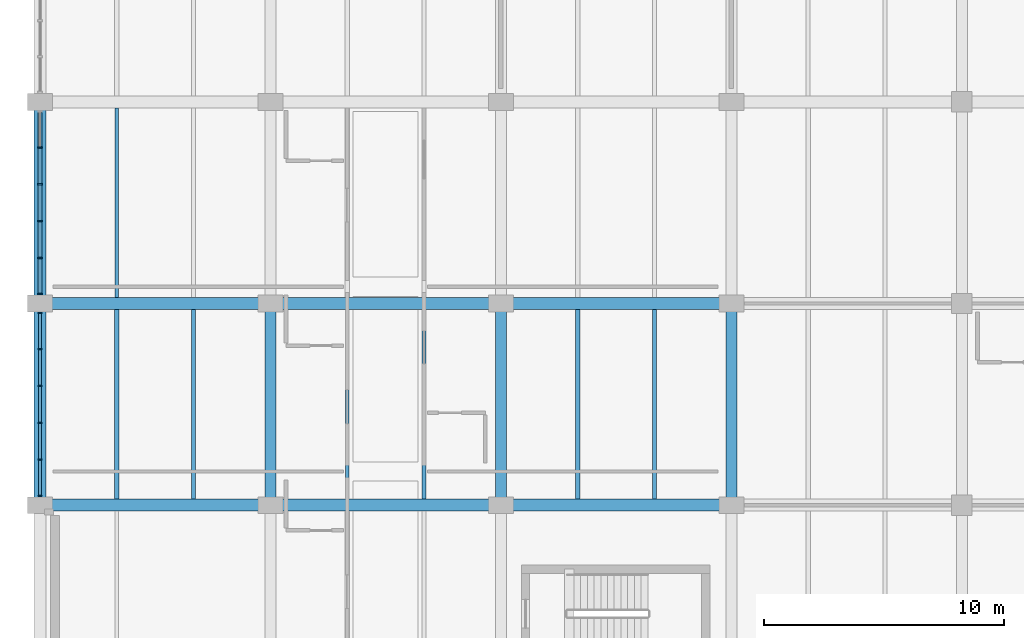
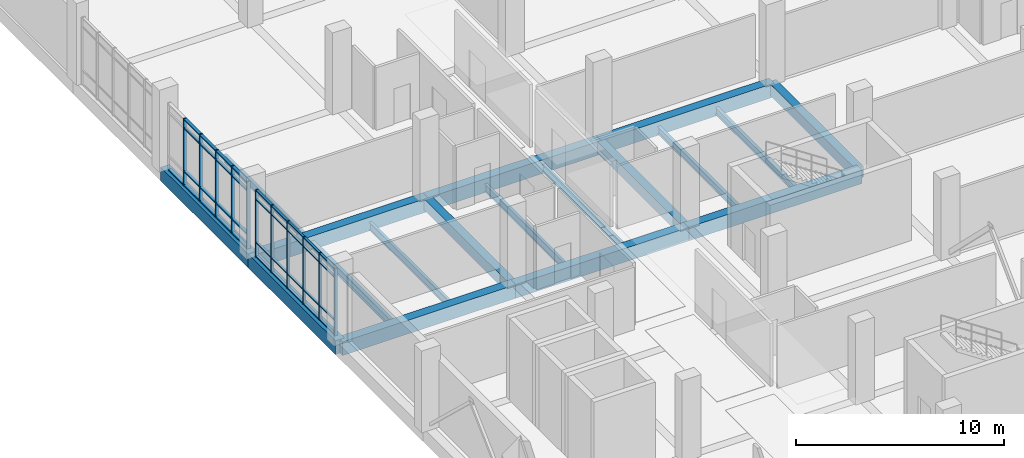
# One storey, part 25 of 152: 48 members, 18 beams, 2 elements without a shape of their own.
"""IFC4 building model written with IfcOpenShell, lengths in metres."""

from ifc_helpers import new_model, si_unit, direction, frame, origin, origin_2d, place, context, subcontext, project, spatial, rectangle, i_section, extrude, material, material_profile, profile_set, type_object, element, aggregate, save


model = new_model("IFC4")

# Units and contexts
model_context = context("Model", 3, precision=1e-05, world=origin(), true_north=direction((0.0, 1.0)))
body_context = subcontext(model_context, "Body", "Model", "MODEL_VIEW")
ifc_project = project(units=[si_unit("LENGTHUNIT", "METRE"), si_unit("AREAUNIT", "SQUARE_METRE"), si_unit("VOLUMEUNIT", "CUBIC_METRE"), si_unit("PLANEANGLEUNIT", "RADIAN"), si_unit("MASSUNIT", "GRAM", prefix="KILO")], contexts=[model_context])

# Site, building, storey
site_placement = place(None, origin())
site = spatial("IfcSite", under=ifc_project, at=site_placement, CompositionType="ELEMENT")
building_placement = place(site_placement, origin())
building = spatial("IfcBuilding", under=site, at=building_placement, Name="Oolite Switchyard Hospital", CompositionType="ELEMENT")
storey_placement = place(building_placement, frame((0.0, 0.0, 5.10009765625)))
storey = spatial("IfcBuildingStorey", under=building, at=storey_placement, Name="L01", CompositionType="ELEMENT", Elevation=5.10009765625)

# Beams
ifc_material_1 = material(Name="Concrete C40/50", Category="concrete")
ifc_material_profile_1 = material_profile(ifc_material_1, rectangle(XDim=0.449951171875, YDim=0.64990234375, at=origin_2d()), Name="RCB450X650")
ifc_profile_set_1 = profile_set([ifc_material_profile_1], Name="Concrete C40/50")
beam_type_1 = type_object("IfcBeamType", Name="BM-RC450X650", PredefinedType="BEAM", material=ifc_profile_set_1)
for number, where, z_axis, x_axis, name in (
    (1, (9.60009765625, 67.199951171875, -0.3251953125), (0.0, 1.0, 0.0), (-1.0, 0.0, 0.0), "L01 Y-Girder 310"),
    (2, (19.199951171875, 67.199951171875, -0.3251953125), (0.0, 1.0, 0.0), (-1.0, 0.0, 0.0), "L01 Y-Girder 326"),
    (3, (28.800048828125, 67.199951171875, -0.3251953125), (0.0, 1.0, 0.0), (-1.0, 0.0, 0.0), "L01 Y-Girder 342"),
):
    element("IfcBeam", number, at=place(storey_placement, frame(where, z_axis=z_axis, x_axis=x_axis)), inside=storey, type_object=beam_type_1, Name=name, PredefinedType="BEAM", context=body_context, shape_type="SweptSolid", body=[
        extrude(rectangle(XDim=0.449951171875, YDim=0.64990234375, at=origin_2d()), origin(), (0.0, 0.0, 1.0), 8.400146484375),
    ])
ifc_material_profile_2 = material_profile(ifc_material_1, rectangle(XDim=0.5, YDim=0.800048828125, at=origin_2d()), Name="RCB500X800")
ifc_profile_set_2 = profile_set([ifc_material_profile_2], Name="Concrete C40/50")
beam_type_2 = type_object("IfcBeamType", Name="BM-RC500X800", PredefinedType="BEAM", material=ifc_profile_set_2)
beam_1_placement = place(storey_placement, frame((0.0, 67.199951171875, -0.400146484375), z_axis=(1.0, 0.0, 0.0), x_axis=(0.0, 1.0, 0.0)))
element("IfcBeam", 4, at=beam_1_placement, inside=storey, type_object=beam_type_2, Name="L01 X-Girder 128", PredefinedType="BEAM", context=body_context, shape_type="SweptSolid", body=[
    extrude(rectangle(XDim=0.5, YDim=0.800048828125, at=origin_2d()), origin(), (0.0, 0.0, 1.0), 9.60009765625),
])
beam_2_placement = place(storey_placement, frame((9.60009765625, 67.199951171875, -0.400146484375), z_axis=(1.0, 0.0, 0.0), x_axis=(0.0, 1.0, 0.0)))
element("IfcBeam", 5, at=beam_2_placement, inside=storey, type_object=beam_type_2, Name="L01 X-Girder 129", PredefinedType="BEAM", context=body_context, shape_type="SweptSolid", body=[
    extrude(rectangle(XDim=0.5, YDim=0.800048828125, at=origin_2d()), origin(), (0.0, 0.0, 1.0), 9.599853515625),
])
for number, where, z_axis, x_axis, name in (
    (6, (19.199951171875, 67.199951171875, -0.400146484375), (1.0, 0.0, 0.0), (0.0, 1.0, 0.0), "L01 X-Girder 130"),
    (7, (0.0, 75.60009765625, -0.400146484375), (1.0, 0.0, 0.0), (0.0, 1.0, 0.0), "L01 X-Girder 144"),
):
    element("IfcBeam", number, at=place(storey_placement, frame(where, z_axis=z_axis, x_axis=x_axis)), inside=storey, type_object=beam_type_2, Name=name, PredefinedType="BEAM", context=body_context, shape_type="SweptSolid", body=[
        extrude(rectangle(XDim=0.5, YDim=0.800048828125, at=origin_2d()), origin(), (0.0, 0.0, 1.0), 9.60009765625),
    ])
beam_3_placement = place(storey_placement, frame((9.60009765625, 75.60009765625, -0.400146484375), z_axis=(1.0, 0.0, 0.0), x_axis=(0.0, 1.0, 0.0)))
element("IfcBeam", 8, at=beam_3_placement, inside=storey, type_object=beam_type_2, Name="L01 X-Girder 145", PredefinedType="BEAM", context=body_context, shape_type="SweptSolid", body=[
    extrude(rectangle(XDim=0.5, YDim=0.800048828125, at=origin_2d()), origin(), (0.0, 0.0, 1.0), 9.599853515625),
])
beam_4_placement = place(storey_placement, frame((19.199951171875, 75.60009765625, -0.400146484375), z_axis=(1.0, 0.0, 0.0), x_axis=(0.0, 1.0, 0.0)))
element("IfcBeam", 9, at=beam_4_placement, inside=storey, type_object=beam_type_2, Name="L01 X-Girder 146", PredefinedType="BEAM", context=body_context, shape_type="SweptSolid", body=[
    extrude(rectangle(XDim=0.5, YDim=0.800048828125, at=origin_2d()), origin(), (0.0, 0.0, 1.0), 9.60009765625),
])
beam_5_placement = place(storey_placement, frame((0.0, 67.199951171875, -0.400146484375), z_axis=(0.0, 1.0, 0.0), x_axis=(-1.0, 0.0, 0.0)))
element("IfcBeam", 10, at=beam_5_placement, inside=storey, type_object=beam_type_2, Name="L01 Y-Girder 295", PredefinedType="BEAM", context=body_context, shape_type="SweptSolid", body=[
    extrude(rectangle(XDim=0.5, YDim=0.800048828125, at=origin_2d()), origin(), (0.0, 0.0, 1.0), 8.400146484375),
])
beam_6_placement = place(storey_placement, frame((0.0, 75.60009765625, -0.400146484375), z_axis=(0.0, 1.0, 0.0), x_axis=(-1.0, 0.0, 0.0)))
element("IfcBeam", 11, at=beam_6_placement, inside=storey, type_object=beam_type_2, Name="L01 Y-Girder 296", PredefinedType="BEAM", context=body_context, shape_type="SweptSolid", body=[
    extrude(rectangle(XDim=0.5, YDim=0.800048828125, at=origin_2d()), origin(), (0.0, 0.0, 1.0), 8.39990234375),
])
ifc_material_2 = material(Name="Steel ASTM A992 Grade 50", Category="steel")
ifc_material_profile_3 = material_profile(ifc_material_2, i_section(OverallWidth=0.177978515625, OverallDepth=0.403076171875, WebThickness=0.008056640625, FlangeThickness=0.010986328125, at=origin_2d()), Name="W16X36")
ifc_profile_set_3 = profile_set([ifc_material_profile_3], Name="Steel ASTM A992 Grade 50")
beam_type_3 = type_object("IfcBeamType", Name="BM-W16X36", PredefinedType="JOIST", material=ifc_profile_set_3)
beam_7_placement = place(storey_placement, frame((25.60009765625, 67.449951171875, -0.47705078125), z_axis=(0.0, 1.0, 0.0), x_axis=(-1.0, 0.0, 0.0)))
element("IfcBeam", 12, at=beam_7_placement, inside=storey, type_object=beam_type_3, Name="L01 Secondary Steel Joist 635", PredefinedType="JOIST", context=body_context, shape_type="SweptSolid", body=[
    extrude(i_section(OverallWidth=0.177978515625, OverallDepth=0.403076171875, WebThickness=0.008056640625, FlangeThickness=0.010986328125, at=origin_2d()), origin(), (0.0, 0.0, 1.0), 7.900146484375),
])
ifc_material_profile_4 = material_profile(ifc_material_2, i_section(OverallWidth=0.179931640625, OverallDepth=0.4130859375, WebThickness=0.010009765625, FlangeThickness=0.01611328125, at=origin_2d()), Name="W16X50")
ifc_profile_set_4 = profile_set([ifc_material_profile_4], Name="Steel ASTM A992 Grade 50")
beam_type_4 = type_object("IfcBeamType", Name="BM-W16X50", PredefinedType="JOIST", material=ifc_profile_set_4)
for number, where, z_axis, x_axis, name in (
    (13, (16.0, 67.449951171875, -0.482177734375), (0.0, 1.0, 0.0), (-1.0, 0.0, 0.0), "L01 Secondary Steel Joist 607"),
    (14, (22.39990234375, 67.449951171875, -0.482177734375), (0.0, 1.0, 0.0), (-1.0, 0.0, 0.0), "L01 Secondary Steel Joist 634"),
):
    element("IfcBeam", number, at=place(storey_placement, frame(where, z_axis=z_axis, x_axis=x_axis)), inside=storey, type_object=beam_type_4, Name=name, PredefinedType="JOIST", context=body_context, shape_type="SweptSolid", body=[
        extrude(i_section(OverallWidth=0.179931640625, OverallDepth=0.4130859375, WebThickness=0.010009765625, FlangeThickness=0.01611328125, at=origin_2d()), origin(), (0.0, 0.0, 1.0), 7.900146484375),
    ])
ifc_material_profile_5 = material_profile(ifc_material_2, i_section(OverallWidth=0.153076171875, OverallDepth=0.455078125, WebThickness=0.008056640625, FlangeThickness=0.012939453125, at=origin_2d()), Name="W18X40")
ifc_profile_set_5 = profile_set([ifc_material_profile_5], Name="Steel ASTM A992 Grade 50")
beam_type_5 = type_object("IfcBeamType", Name="BM-W18X40", PredefinedType="JOIST", material=ifc_profile_set_5)
beam_8_placement = place(storey_placement, frame((6.39990234375, 67.449951171875, -0.503173828125), z_axis=(0.0, 1.0, 0.0), x_axis=(-1.0, 0.0, 0.0)))
element("IfcBeam", 15, at=beam_8_placement, inside=storey, type_object=beam_type_5, Name="L01 Secondary Steel Joist 577", PredefinedType="JOIST", context=body_context, shape_type="SweptSolid", body=[
    extrude(i_section(OverallWidth=0.153076171875, OverallDepth=0.455078125, WebThickness=0.008056640625, FlangeThickness=0.012939453125, at=origin_2d()), origin(), (0.0, 0.0, 1.0), 7.900146484375),
])
beam_9_placement = place(storey_placement, frame((3.199951171875, 75.85009765625, -0.503173828125), z_axis=(0.0, 1.0, 0.0), x_axis=(-1.0, 0.0, 0.0)))
element("IfcBeam", 16, at=beam_9_placement, inside=storey, type_object=beam_type_5, Name="L01 Secondary Steel Joist 578", PredefinedType="JOIST", context=body_context, shape_type="SweptSolid", body=[
    extrude(i_section(OverallWidth=0.153076171875, OverallDepth=0.455078125, WebThickness=0.008056640625, FlangeThickness=0.012939453125, at=origin_2d()), origin(), (0.0, 0.0, 1.0), 7.89990234375),
])
beam_10_placement = place(storey_placement, frame((12.800048828125, 67.449951171875, -0.503173828125), z_axis=(0.0, 1.0, 0.0), x_axis=(-1.0, 0.0, 0.0)))
element("IfcBeam", 17, at=beam_10_placement, inside=storey, type_object=beam_type_5, Name="L01 Secondary Steel Joist 606", PredefinedType="JOIST", context=body_context, shape_type="SweptSolid", body=[
    extrude(i_section(OverallWidth=0.153076171875, OverallDepth=0.455078125, WebThickness=0.008056640625, FlangeThickness=0.012939453125, at=origin_2d()), origin(), (0.0, 0.0, 1.0), 7.900146484375),
])
ifc_material_profile_6 = material_profile(ifc_material_2, i_section(OverallWidth=0.19091796875, OverallDepth=0.4599609375, WebThickness=0.010009765625, FlangeThickness=0.01611328125, at=origin_2d()), Name="W18X55")
ifc_profile_set_6 = profile_set([ifc_material_profile_6], Name="Steel ASTM A992 Grade 50")
beam_type_6 = type_object("IfcBeamType", Name="BM-W18X55", PredefinedType="JOIST", material=ifc_profile_set_6)
beam_11_placement = place(storey_placement, frame((3.199951171875, 67.449951171875, -0.505126953125), z_axis=(0.0, 1.0, 0.0), x_axis=(-1.0, 0.0, 0.0)))
element("IfcBeam", 18, at=beam_11_placement, inside=storey, type_object=beam_type_6, Name="L01 Secondary Steel Joist 576", PredefinedType="JOIST", context=body_context, shape_type="SweptSolid", body=[
    extrude(i_section(OverallWidth=0.19091796875, OverallDepth=0.4599609375, WebThickness=0.010009765625, FlangeThickness=0.01611328125, at=origin_2d()), origin(), (0.0, 0.0, 1.0), 7.900146484375),
])

# Curtain wall, members
ifc_material_3 = material(Name="Thermally broken aluminum frame with laminated impact glazing", Category="aluminium")
curtain_wall_type = type_object("IfcCurtainWallType", Name="CW-UNIT-84X48", PredefinedType="USERDEFINED", material=ifc_material_3)
curtain_wall_1_placement = place(storey_placement, origin())
curtain_wall_1 = element("IfcCurtainWall", 19, at=curtain_wall_1_placement, inside=storey, type_object=curtain_wall_type, Name="L01 Unitised Curtain Wall 164", ObjectType="UNITISED", PredefinedType="USERDEFINED")
ifc_material_4 = material(Name="Aluminium 6063-T6", Category="aluminium")
ifc_material_profile_7 = material_profile(ifc_material_4, rectangle(XDim=0.159912109375, YDim=0.06005859375, at=origin_2d()), Name="CWM60X160")
ifc_profile_set_7 = profile_set([ifc_material_profile_7], Name="Aluminium 6063-T6")
member_type_1 = type_object("IfcMemberType", Name="CW-MUL-180", PredefinedType="MULLION", material=ifc_profile_set_7)
member_1_placement = place(storey_placement, frame((0.0, 67.594970703125, 0.0), z_axis=(0.0, 0.0, 1.0), x_axis=(-1.0, 0.0, 0.0)))
member_1 = element("IfcMember", 20, at=member_1_placement, type_object=member_type_1, Name="CW-07 mullion 1", PredefinedType="MULLION", context=body_context, shape_type="SweptSolid", body=[
    extrude(rectangle(XDim=0.159912109375, YDim=0.06005859375, at=origin_2d()), origin(), (0.0, 0.0, 1.0), 3.93994140625),
])
member_2_placement = place(storey_placement, frame((0.0, 69.09912109375, 0.0), z_axis=(0.0, 0.0, 1.0), x_axis=(-1.0, 0.0, 0.0)))
member_2 = element("IfcMember", 21, at=member_2_placement, type_object=member_type_1, Name="CW-07 mullion 2", PredefinedType="MULLION", context=body_context, shape_type="SweptSolid", body=[
    extrude(rectangle(XDim=0.159912109375, YDim=0.06005859375, at=origin_2d()), origin(), (0.0, 0.0, 1.0), 3.93994140625),
])
member_3_placement = place(storey_placement, frame((0.0, 70.633056640625, 0.0), z_axis=(0.0, 0.0, 1.0), x_axis=(-1.0, 0.0, 0.0)))
member_3 = element("IfcMember", 22, at=member_3_placement, type_object=member_type_1, Name="CW-07 mullion 3", PredefinedType="MULLION", context=body_context, shape_type="SweptSolid", body=[
    extrude(rectangle(XDim=0.159912109375, YDim=0.06005859375, at=origin_2d()), origin(), (0.0, 0.0, 1.0), 3.93994140625),
])
member_4_placement = place(storey_placement, frame((0.0, 72.1669921875, 0.0), z_axis=(0.0, 0.0, 1.0), x_axis=(-1.0, 0.0, 0.0)))
member_4 = element("IfcMember", 23, at=member_4_placement, type_object=member_type_1, Name="CW-07 mullion 4", PredefinedType="MULLION", context=body_context, shape_type="SweptSolid", body=[
    extrude(rectangle(XDim=0.159912109375, YDim=0.06005859375, at=origin_2d()), origin(), (0.0, 0.0, 1.0), 3.93994140625),
])
member_5_placement = place(storey_placement, frame((0.0, 73.700927734375, 0.0), z_axis=(0.0, 0.0, 1.0), x_axis=(-1.0, 0.0, 0.0)))
member_5 = element("IfcMember", 24, at=member_5_placement, type_object=member_type_1, Name="CW-07 mullion 5", PredefinedType="MULLION", context=body_context, shape_type="SweptSolid", body=[
    extrude(rectangle(XDim=0.159912109375, YDim=0.06005859375, at=origin_2d()), origin(), (0.0, 0.0, 1.0), 3.93994140625),
])
member_6_placement = place(storey_placement, frame((0.0, 75.205078125, 0.0), z_axis=(0.0, 0.0, 1.0), x_axis=(-1.0, 0.0, 0.0)))
member_6 = element("IfcMember", 25, at=member_6_placement, type_object=member_type_1, Name="CW-07 mullion 6", PredefinedType="MULLION", context=body_context, shape_type="SweptSolid", body=[
    extrude(rectangle(XDim=0.159912109375, YDim=0.06005859375, at=origin_2d()), origin(), (0.0, 0.0, 1.0), 3.93994140625),
])

curtain_wall_2_placement = place(storey_placement, origin())
curtain_wall_2 = element("IfcCurtainWall", 26, at=curtain_wall_2_placement, inside=storey, type_object=curtain_wall_type, Name="L01 Unitised Curtain Wall 165", ObjectType="UNITISED", PredefinedType="USERDEFINED")
ifc_material_profile_8 = material_profile(ifc_material_4, rectangle(XDim=0.179931640625, YDim=0.070068359375, at=origin_2d()), Name="CWM70X180")
ifc_profile_set_8 = profile_set([ifc_material_profile_8], Name="Aluminium 6063-T6")
member_type_2 = type_object("IfcMemberType", Name="CW-MUL-220", PredefinedType="MULLION", material=ifc_profile_set_8)
member_7_placement = place(storey_placement, frame((0.0, 76.0, 0.0), z_axis=(0.0, 0.0, 1.0), x_axis=(-1.0, 0.0, 0.0)))
member_7 = element("IfcMember", 27, at=member_7_placement, type_object=member_type_2, Name="CW-07 mullion 1", PredefinedType="MULLION", context=body_context, shape_type="SweptSolid", body=[
    extrude(rectangle(XDim=0.179931640625, YDim=0.070068359375, at=origin_2d()), origin(), (0.0, 0.0, 1.0), 3.93994140625),
])
member_8_placement = place(storey_placement, frame((0.0, 77.4990234375, 0.0), z_axis=(0.0, 0.0, 1.0), x_axis=(-1.0, 0.0, 0.0)))
member_8 = element("IfcMember", 28, at=member_8_placement, type_object=member_type_2, Name="CW-07 mullion 2", PredefinedType="MULLION", context=body_context, shape_type="SweptSolid", body=[
    extrude(rectangle(XDim=0.179931640625, YDim=0.070068359375, at=origin_2d()), origin(), (0.0, 0.0, 1.0), 3.93994140625),
])
member_9_placement = place(storey_placement, frame((0.0, 79.032958984375, 0.0), z_axis=(0.0, 0.0, 1.0), x_axis=(-1.0, 0.0, 0.0)))
member_9 = element("IfcMember", 29, at=member_9_placement, type_object=member_type_2, Name="CW-07 mullion 3", PredefinedType="MULLION", context=body_context, shape_type="SweptSolid", body=[
    extrude(rectangle(XDim=0.179931640625, YDim=0.070068359375, at=origin_2d()), origin(), (0.0, 0.0, 1.0), 3.93994140625),
])
member_10_placement = place(storey_placement, frame((0.0, 80.56689453125, 0.0), z_axis=(0.0, 0.0, 1.0), x_axis=(-1.0, 0.0, 0.0)))
member_10 = element("IfcMember", 30, at=member_10_placement, type_object=member_type_2, Name="CW-07 mullion 4", PredefinedType="MULLION", context=body_context, shape_type="SweptSolid", body=[
    extrude(rectangle(XDim=0.179931640625, YDim=0.070068359375, at=origin_2d()), origin(), (0.0, 0.0, 1.0), 3.93994140625),
])
member_11_placement = place(storey_placement, frame((0.0, 82.10107421875, 0.0), z_axis=(0.0, 0.0, 1.0), x_axis=(-1.0, 0.0, 0.0)))
member_11 = element("IfcMember", 31, at=member_11_placement, type_object=member_type_2, Name="CW-07 mullion 5", PredefinedType="MULLION", context=body_context, shape_type="SweptSolid", body=[
    extrude(rectangle(XDim=0.179931640625, YDim=0.070068359375, at=origin_2d()), origin(), (0.0, 0.0, 1.0), 3.93994140625),
])

# Member
ifc_material_profile_9 = material_profile(ifc_material_4, rectangle(XDim=0.1201171875, YDim=0.06005859375, at=origin_2d()), Name="CWT60X120")
ifc_profile_set_9 = profile_set([ifc_material_profile_9], Name="Aluminium 6063-T6")
member_type_3 = type_object("IfcMemberType", Name="CW-TRN-150", PredefinedType="USERDEFINED", material=ifc_profile_set_9)
member_12_placement = place(storey_placement, frame((0.0, 67.625, 0.02978515625), z_axis=(0.0, 1.0, 0.0), x_axis=(-1.0, 0.0, 0.0)))
member_12 = element("IfcMember", 32, at=member_12_placement, type_object=member_type_3, Name="CW-07 transom 1.1", ObjectType="TRANSOM", PredefinedType="USERDEFINED", context=body_context, shape_type="SweptSolid", body=[
    extrude(rectangle(XDim=0.1201171875, YDim=0.06005859375, at=origin_2d()), origin(), (0.0, 0.0, 1.0), 1.444091796875),
])

member_13_placement = place(storey_placement, frame((0.0, 67.625, 0.849853515625), z_axis=(0.0, 1.0, 0.0), x_axis=(-1.0, 0.0, 0.0)))
member_13 = element("IfcMember", 33, at=member_13_placement, type_object=member_type_3, Name="CW-07 transom 1.2", ObjectType="TRANSOM", PredefinedType="USERDEFINED", context=body_context, shape_type="SweptSolid", body=[
    extrude(rectangle(XDim=0.1201171875, YDim=0.06005859375, at=origin_2d()), origin(), (0.0, 0.0, 1.0), 1.444091796875),
])

member_14_placement = place(storey_placement, frame((0.0, 67.625, 3.389892578125), z_axis=(0.0, 1.0, 0.0), x_axis=(-1.0, 0.0, 0.0)))
member_14 = element("IfcMember", 34, at=member_14_placement, type_object=member_type_3, Name="CW-07 transom 1.3", ObjectType="TRANSOM", PredefinedType="USERDEFINED", context=body_context, shape_type="SweptSolid", body=[
    extrude(rectangle(XDim=0.1201171875, YDim=0.06005859375, at=origin_2d()), origin(), (0.0, 0.0, 1.0), 1.444091796875),
])

member_15_placement = place(storey_placement, frame((0.0, 67.625, 3.909912109375), z_axis=(0.0, 1.0, 0.0), x_axis=(-1.0, 0.0, 0.0)))
member_15 = element("IfcMember", 35, at=member_15_placement, type_object=member_type_3, Name="CW-07 transom 1.4", ObjectType="TRANSOM", PredefinedType="USERDEFINED", context=body_context, shape_type="SweptSolid", body=[
    extrude(rectangle(XDim=0.1201171875, YDim=0.06005859375, at=origin_2d()), origin(), (0.0, 0.0, 1.0), 1.444091796875),
])

member_16_placement = place(storey_placement, frame((0.0, 69.12890625, 0.02978515625), z_axis=(0.0, 1.0, 0.0), x_axis=(-1.0, 0.0, 0.0)))
member_16 = element("IfcMember", 36, at=member_16_placement, type_object=member_type_3, Name="CW-07 transom 2.1", ObjectType="TRANSOM", PredefinedType="USERDEFINED", context=body_context, shape_type="SweptSolid", body=[
    extrude(rectangle(XDim=0.1201171875, YDim=0.06005859375, at=origin_2d()), origin(), (0.0, 0.0, 1.0), 1.47412109375),
])

member_17_placement = place(storey_placement, frame((0.0, 69.12890625, 0.849853515625), z_axis=(0.0, 1.0, 0.0), x_axis=(-1.0, 0.0, 0.0)))
member_17 = element("IfcMember", 37, at=member_17_placement, type_object=member_type_3, Name="CW-07 transom 2.2", ObjectType="TRANSOM", PredefinedType="USERDEFINED", context=body_context, shape_type="SweptSolid", body=[
    extrude(rectangle(XDim=0.1201171875, YDim=0.06005859375, at=origin_2d()), origin(), (0.0, 0.0, 1.0), 1.47412109375),
])

member_18_placement = place(storey_placement, frame((0.0, 69.12890625, 3.389892578125), z_axis=(0.0, 1.0, 0.0), x_axis=(-1.0, 0.0, 0.0)))
member_18 = element("IfcMember", 38, at=member_18_placement, type_object=member_type_3, Name="CW-07 transom 2.3", ObjectType="TRANSOM", PredefinedType="USERDEFINED", context=body_context, shape_type="SweptSolid", body=[
    extrude(rectangle(XDim=0.1201171875, YDim=0.06005859375, at=origin_2d()), origin(), (0.0, 0.0, 1.0), 1.47412109375),
])

member_19_placement = place(storey_placement, frame((0.0, 69.12890625, 3.909912109375), z_axis=(0.0, 1.0, 0.0), x_axis=(-1.0, 0.0, 0.0)))
member_19 = element("IfcMember", 39, at=member_19_placement, type_object=member_type_3, Name="CW-07 transom 2.4", ObjectType="TRANSOM", PredefinedType="USERDEFINED", context=body_context, shape_type="SweptSolid", body=[
    extrude(rectangle(XDim=0.1201171875, YDim=0.06005859375, at=origin_2d()), origin(), (0.0, 0.0, 1.0), 1.47412109375),
])

member_20_placement = place(storey_placement, frame((0.0, 70.6630859375, 0.02978515625), z_axis=(0.0, 1.0, 0.0), x_axis=(-1.0, 0.0, 0.0)))
member_20 = element("IfcMember", 40, at=member_20_placement, type_object=member_type_3, Name="CW-07 transom 3.1", ObjectType="TRANSOM", PredefinedType="USERDEFINED", context=body_context, shape_type="SweptSolid", body=[
    extrude(rectangle(XDim=0.1201171875, YDim=0.06005859375, at=origin_2d()), origin(), (0.0, 0.0, 1.0), 1.473876953125),
])

member_21_placement = place(storey_placement, frame((0.0, 70.6630859375, 0.849853515625), z_axis=(0.0, 1.0, 0.0), x_axis=(-1.0, 0.0, 0.0)))
member_21 = element("IfcMember", 41, at=member_21_placement, type_object=member_type_3, Name="CW-07 transom 3.2", ObjectType="TRANSOM", PredefinedType="USERDEFINED", context=body_context, shape_type="SweptSolid", body=[
    extrude(rectangle(XDim=0.1201171875, YDim=0.06005859375, at=origin_2d()), origin(), (0.0, 0.0, 1.0), 1.473876953125),
])

member_22_placement = place(storey_placement, frame((0.0, 70.6630859375, 3.389892578125), z_axis=(0.0, 1.0, 0.0), x_axis=(-1.0, 0.0, 0.0)))
member_22 = element("IfcMember", 42, at=member_22_placement, type_object=member_type_3, Name="CW-07 transom 3.3", ObjectType="TRANSOM", PredefinedType="USERDEFINED", context=body_context, shape_type="SweptSolid", body=[
    extrude(rectangle(XDim=0.1201171875, YDim=0.06005859375, at=origin_2d()), origin(), (0.0, 0.0, 1.0), 1.473876953125),
])

member_23_placement = place(storey_placement, frame((0.0, 70.6630859375, 3.909912109375), z_axis=(0.0, 1.0, 0.0), x_axis=(-1.0, 0.0, 0.0)))
member_23 = element("IfcMember", 43, at=member_23_placement, type_object=member_type_3, Name="CW-07 transom 3.4", ObjectType="TRANSOM", PredefinedType="USERDEFINED", context=body_context, shape_type="SweptSolid", body=[
    extrude(rectangle(XDim=0.1201171875, YDim=0.06005859375, at=origin_2d()), origin(), (0.0, 0.0, 1.0), 1.473876953125),
])

member_24_placement = place(storey_placement, frame((0.0, 72.197021484375, 0.02978515625), z_axis=(0.0, 1.0, 0.0), x_axis=(-1.0, 0.0, 0.0)))
member_24 = element("IfcMember", 44, at=member_24_placement, type_object=member_type_3, Name="CW-07 transom 4.1", ObjectType="TRANSOM", PredefinedType="USERDEFINED", context=body_context, shape_type="SweptSolid", body=[
    extrude(rectangle(XDim=0.1201171875, YDim=0.06005859375, at=origin_2d()), origin(), (0.0, 0.0, 1.0), 1.473876953125),
])

member_25_placement = place(storey_placement, frame((0.0, 72.197021484375, 0.849853515625), z_axis=(0.0, 1.0, 0.0), x_axis=(-1.0, 0.0, 0.0)))
member_25 = element("IfcMember", 45, at=member_25_placement, type_object=member_type_3, Name="CW-07 transom 4.2", ObjectType="TRANSOM", PredefinedType="USERDEFINED", context=body_context, shape_type="SweptSolid", body=[
    extrude(rectangle(XDim=0.1201171875, YDim=0.06005859375, at=origin_2d()), origin(), (0.0, 0.0, 1.0), 1.473876953125),
])

member_26_placement = place(storey_placement, frame((0.0, 72.197021484375, 3.389892578125), z_axis=(0.0, 1.0, 0.0), x_axis=(-1.0, 0.0, 0.0)))
member_26 = element("IfcMember", 46, at=member_26_placement, type_object=member_type_3, Name="CW-07 transom 4.3", ObjectType="TRANSOM", PredefinedType="USERDEFINED", context=body_context, shape_type="SweptSolid", body=[
    extrude(rectangle(XDim=0.1201171875, YDim=0.06005859375, at=origin_2d()), origin(), (0.0, 0.0, 1.0), 1.473876953125),
])

member_27_placement = place(storey_placement, frame((0.0, 72.197021484375, 3.909912109375), z_axis=(0.0, 1.0, 0.0), x_axis=(-1.0, 0.0, 0.0)))
member_27 = element("IfcMember", 47, at=member_27_placement, type_object=member_type_3, Name="CW-07 transom 4.4", ObjectType="TRANSOM", PredefinedType="USERDEFINED", context=body_context, shape_type="SweptSolid", body=[
    extrude(rectangle(XDim=0.1201171875, YDim=0.06005859375, at=origin_2d()), origin(), (0.0, 0.0, 1.0), 1.473876953125),
])

member_28_placement = place(storey_placement, frame((0.0, 73.73095703125, 0.02978515625), z_axis=(0.0, 1.0, 0.0), x_axis=(-1.0, 0.0, 0.0)))
member_28 = element("IfcMember", 48, at=member_28_placement, type_object=member_type_3, Name="CW-07 transom 5.1", ObjectType="TRANSOM", PredefinedType="USERDEFINED", context=body_context, shape_type="SweptSolid", body=[
    extrude(rectangle(XDim=0.1201171875, YDim=0.06005859375, at=origin_2d()), origin(), (0.0, 0.0, 1.0), 1.444091796875),
])

member_29_placement = place(storey_placement, frame((0.0, 73.73095703125, 0.849853515625), z_axis=(0.0, 1.0, 0.0), x_axis=(-1.0, 0.0, 0.0)))
member_29 = element("IfcMember", 49, at=member_29_placement, type_object=member_type_3, Name="CW-07 transom 5.2", ObjectType="TRANSOM", PredefinedType="USERDEFINED", context=body_context, shape_type="SweptSolid", body=[
    extrude(rectangle(XDim=0.1201171875, YDim=0.06005859375, at=origin_2d()), origin(), (0.0, 0.0, 1.0), 1.444091796875),
])

member_30_placement = place(storey_placement, frame((0.0, 73.73095703125, 3.389892578125), z_axis=(0.0, 1.0, 0.0), x_axis=(-1.0, 0.0, 0.0)))
member_30 = element("IfcMember", 50, at=member_30_placement, type_object=member_type_3, Name="CW-07 transom 5.3", ObjectType="TRANSOM", PredefinedType="USERDEFINED", context=body_context, shape_type="SweptSolid", body=[
    extrude(rectangle(XDim=0.1201171875, YDim=0.06005859375, at=origin_2d()), origin(), (0.0, 0.0, 1.0), 1.444091796875),
])

member_31_placement = place(storey_placement, frame((0.0, 73.73095703125, 3.909912109375), z_axis=(0.0, 1.0, 0.0), x_axis=(-1.0, 0.0, 0.0)))
member_31 = element("IfcMember", 51, at=member_31_placement, type_object=member_type_3, Name="CW-07 transom 5.4", ObjectType="TRANSOM", PredefinedType="USERDEFINED", context=body_context, shape_type="SweptSolid", body=[
    extrude(rectangle(XDim=0.1201171875, YDim=0.06005859375, at=origin_2d()), origin(), (0.0, 0.0, 1.0), 1.444091796875),
])

aggregate(curtain_wall_1, [member_1, member_2, member_3, member_4, member_5, member_6, member_12, member_13, member_14, member_15, member_16, member_17, member_18, member_19, member_20, member_21, member_22, member_23, member_24, member_25, member_26, member_27, member_28, member_29, member_30, member_31])

ifc_material_profile_10 = material_profile(ifc_material_4, rectangle(XDim=0.159912109375, YDim=0.074951171875, at=origin_2d()), Name="CWT75X160")
ifc_profile_set_10 = profile_set([ifc_material_profile_10], Name="Aluminium 6063-T6")
member_type_4 = type_object("IfcMemberType", Name="CW-TRN-180", PredefinedType="USERDEFINED", material=ifc_profile_set_10)
member_32_placement = place(storey_placement, frame((0.0, 76.034912109375, 0.037353515625), z_axis=(0.0, 1.0, 0.0), x_axis=(-1.0, 0.0, 0.0)))
member_32 = element("IfcMember", 52, at=member_32_placement, type_object=member_type_4, Name="CW-07 transom 1.1", ObjectType="TRANSOM", PredefinedType="USERDEFINED", context=body_context, shape_type="SweptSolid", body=[
    extrude(rectangle(XDim=0.159912109375, YDim=0.074951171875, at=origin_2d()), origin(), (0.0, 0.0, 1.0), 1.42919921875),
])

member_33_placement = place(storey_placement, frame((0.0, 76.034912109375, 0.849853515625), z_axis=(0.0, 1.0, 0.0), x_axis=(-1.0, 0.0, 0.0)))
member_33 = element("IfcMember", 53, at=member_33_placement, type_object=member_type_4, Name="CW-07 transom 1.2", ObjectType="TRANSOM", PredefinedType="USERDEFINED", context=body_context, shape_type="SweptSolid", body=[
    extrude(rectangle(XDim=0.159912109375, YDim=0.074951171875, at=origin_2d()), origin(), (0.0, 0.0, 1.0), 1.42919921875),
])

member_34_placement = place(storey_placement, frame((0.0, 76.034912109375, 3.389892578125), z_axis=(0.0, 1.0, 0.0), x_axis=(-1.0, 0.0, 0.0)))
member_34 = element("IfcMember", 54, at=member_34_placement, type_object=member_type_4, Name="CW-07 transom 1.3", ObjectType="TRANSOM", PredefinedType="USERDEFINED", context=body_context, shape_type="SweptSolid", body=[
    extrude(rectangle(XDim=0.159912109375, YDim=0.074951171875, at=origin_2d()), origin(), (0.0, 0.0, 1.0), 1.42919921875),
])

member_35_placement = place(storey_placement, frame((0.0, 76.034912109375, 3.90234375), z_axis=(0.0, 1.0, 0.0), x_axis=(-1.0, 0.0, 0.0)))
member_35 = element("IfcMember", 55, at=member_35_placement, type_object=member_type_4, Name="CW-07 transom 1.4", ObjectType="TRANSOM", PredefinedType="USERDEFINED", context=body_context, shape_type="SweptSolid", body=[
    extrude(rectangle(XDim=0.159912109375, YDim=0.074951171875, at=origin_2d()), origin(), (0.0, 0.0, 1.0), 1.42919921875),
])

member_36_placement = place(storey_placement, frame((0.0, 77.533935546875, 0.037353515625), z_axis=(0.0, 1.0, 0.0), x_axis=(-1.0, 0.0, 0.0)))
member_36 = element("IfcMember", 56, at=member_36_placement, type_object=member_type_4, Name="CW-07 transom 2.1", ObjectType="TRANSOM", PredefinedType="USERDEFINED", context=body_context, shape_type="SweptSolid", body=[
    extrude(rectangle(XDim=0.159912109375, YDim=0.074951171875, at=origin_2d()), origin(), (0.0, 0.0, 1.0), 1.464111328125),
])

member_37_placement = place(storey_placement, frame((0.0, 77.533935546875, 0.849853515625), z_axis=(0.0, 1.0, 0.0), x_axis=(-1.0, 0.0, 0.0)))
member_37 = element("IfcMember", 57, at=member_37_placement, type_object=member_type_4, Name="CW-07 transom 2.2", ObjectType="TRANSOM", PredefinedType="USERDEFINED", context=body_context, shape_type="SweptSolid", body=[
    extrude(rectangle(XDim=0.159912109375, YDim=0.074951171875, at=origin_2d()), origin(), (0.0, 0.0, 1.0), 1.464111328125),
])

member_38_placement = place(storey_placement, frame((0.0, 77.533935546875, 3.389892578125), z_axis=(0.0, 1.0, 0.0), x_axis=(-1.0, 0.0, 0.0)))
member_38 = element("IfcMember", 58, at=member_38_placement, type_object=member_type_4, Name="CW-07 transom 2.3", ObjectType="TRANSOM", PredefinedType="USERDEFINED", context=body_context, shape_type="SweptSolid", body=[
    extrude(rectangle(XDim=0.159912109375, YDim=0.074951171875, at=origin_2d()), origin(), (0.0, 0.0, 1.0), 1.464111328125),
])

member_39_placement = place(storey_placement, frame((0.0, 77.533935546875, 3.90234375), z_axis=(0.0, 1.0, 0.0), x_axis=(-1.0, 0.0, 0.0)))
member_39 = element("IfcMember", 59, at=member_39_placement, type_object=member_type_4, Name="CW-07 transom 2.4", ObjectType="TRANSOM", PredefinedType="USERDEFINED", context=body_context, shape_type="SweptSolid", body=[
    extrude(rectangle(XDim=0.159912109375, YDim=0.074951171875, at=origin_2d()), origin(), (0.0, 0.0, 1.0), 1.464111328125),
])

member_40_placement = place(storey_placement, frame((0.0, 79.068115234375, 0.037353515625), z_axis=(0.0, 1.0, 0.0), x_axis=(-1.0, 0.0, 0.0)))
member_40 = element("IfcMember", 60, at=member_40_placement, type_object=member_type_4, Name="CW-07 transom 3.1", ObjectType="TRANSOM", PredefinedType="USERDEFINED", context=body_context, shape_type="SweptSolid", body=[
    extrude(rectangle(XDim=0.159912109375, YDim=0.074951171875, at=origin_2d()), origin(), (0.0, 0.0, 1.0), 1.4638671875),
])

member_41_placement = place(storey_placement, frame((0.0, 79.068115234375, 0.849853515625), z_axis=(0.0, 1.0, 0.0), x_axis=(-1.0, 0.0, 0.0)))
member_41 = element("IfcMember", 61, at=member_41_placement, type_object=member_type_4, Name="CW-07 transom 3.2", ObjectType="TRANSOM", PredefinedType="USERDEFINED", context=body_context, shape_type="SweptSolid", body=[
    extrude(rectangle(XDim=0.159912109375, YDim=0.074951171875, at=origin_2d()), origin(), (0.0, 0.0, 1.0), 1.4638671875),
])

member_42_placement = place(storey_placement, frame((0.0, 79.068115234375, 3.389892578125), z_axis=(0.0, 1.0, 0.0), x_axis=(-1.0, 0.0, 0.0)))
member_42 = element("IfcMember", 62, at=member_42_placement, type_object=member_type_4, Name="CW-07 transom 3.3", ObjectType="TRANSOM", PredefinedType="USERDEFINED", context=body_context, shape_type="SweptSolid", body=[
    extrude(rectangle(XDim=0.159912109375, YDim=0.074951171875, at=origin_2d()), origin(), (0.0, 0.0, 1.0), 1.4638671875),
])

member_43_placement = place(storey_placement, frame((0.0, 79.068115234375, 3.90234375), z_axis=(0.0, 1.0, 0.0), x_axis=(-1.0, 0.0, 0.0)))
member_43 = element("IfcMember", 63, at=member_43_placement, type_object=member_type_4, Name="CW-07 transom 3.4", ObjectType="TRANSOM", PredefinedType="USERDEFINED", context=body_context, shape_type="SweptSolid", body=[
    extrude(rectangle(XDim=0.159912109375, YDim=0.074951171875, at=origin_2d()), origin(), (0.0, 0.0, 1.0), 1.4638671875),
])

member_44_placement = place(storey_placement, frame((0.0, 80.60205078125, 0.037353515625), z_axis=(0.0, 1.0, 0.0), x_axis=(-1.0, 0.0, 0.0)))
member_44 = element("IfcMember", 64, at=member_44_placement, type_object=member_type_4, Name="CW-07 transom 4.1", ObjectType="TRANSOM", PredefinedType="USERDEFINED", context=body_context, shape_type="SweptSolid", body=[
    extrude(rectangle(XDim=0.159912109375, YDim=0.074951171875, at=origin_2d()), origin(), (0.0, 0.0, 1.0), 1.4638671875),
])

member_45_placement = place(storey_placement, frame((0.0, 80.60205078125, 0.849853515625), z_axis=(0.0, 1.0, 0.0), x_axis=(-1.0, 0.0, 0.0)))
member_45 = element("IfcMember", 65, at=member_45_placement, type_object=member_type_4, Name="CW-07 transom 4.2", ObjectType="TRANSOM", PredefinedType="USERDEFINED", context=body_context, shape_type="SweptSolid", body=[
    extrude(rectangle(XDim=0.159912109375, YDim=0.074951171875, at=origin_2d()), origin(), (0.0, 0.0, 1.0), 1.4638671875),
])

member_46_placement = place(storey_placement, frame((0.0, 80.60205078125, 3.389892578125), z_axis=(0.0, 1.0, 0.0), x_axis=(-1.0, 0.0, 0.0)))
member_46 = element("IfcMember", 66, at=member_46_placement, type_object=member_type_4, Name="CW-07 transom 4.3", ObjectType="TRANSOM", PredefinedType="USERDEFINED", context=body_context, shape_type="SweptSolid", body=[
    extrude(rectangle(XDim=0.159912109375, YDim=0.074951171875, at=origin_2d()), origin(), (0.0, 0.0, 1.0), 1.4638671875),
])

member_47_placement = place(storey_placement, frame((0.0, 80.60205078125, 3.90234375), z_axis=(0.0, 1.0, 0.0), x_axis=(-1.0, 0.0, 0.0)))
member_47 = element("IfcMember", 67, at=member_47_placement, type_object=member_type_4, Name="CW-07 transom 4.4", ObjectType="TRANSOM", PredefinedType="USERDEFINED", context=body_context, shape_type="SweptSolid", body=[
    extrude(rectangle(XDim=0.159912109375, YDim=0.074951171875, at=origin_2d()), origin(), (0.0, 0.0, 1.0), 1.4638671875),
])

member_48_placement = place(storey_placement, frame((0.0, 82.135986328125, 0.037353515625), z_axis=(0.0, 1.0, 0.0), x_axis=(-1.0, 0.0, 0.0)))
member_48 = element("IfcMember", 68, at=member_48_placement, type_object=member_type_4, Name="CW-07 transom 5.1", ObjectType="TRANSOM", PredefinedType="USERDEFINED", context=body_context, shape_type="SweptSolid", body=[
    extrude(rectangle(XDim=0.159912109375, YDim=0.074951171875, at=origin_2d()), origin(), (0.0, 0.0, 1.0), 1.428955078125),
])

aggregate(curtain_wall_2, [member_7, member_8, member_9, member_10, member_11, member_32, member_33, member_34, member_35, member_36, member_37, member_38, member_39, member_40, member_41, member_42, member_43, member_44, member_45, member_46, member_47, member_48])

save(model, "model.ifc")
